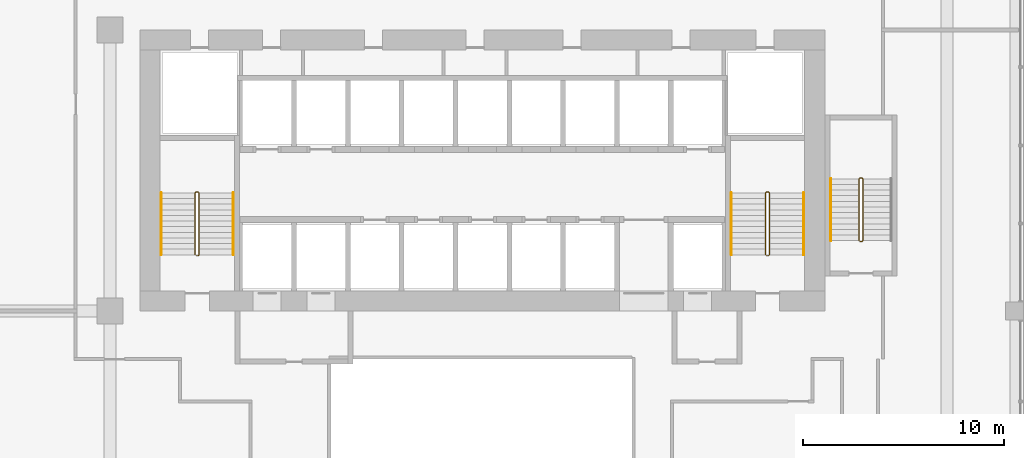
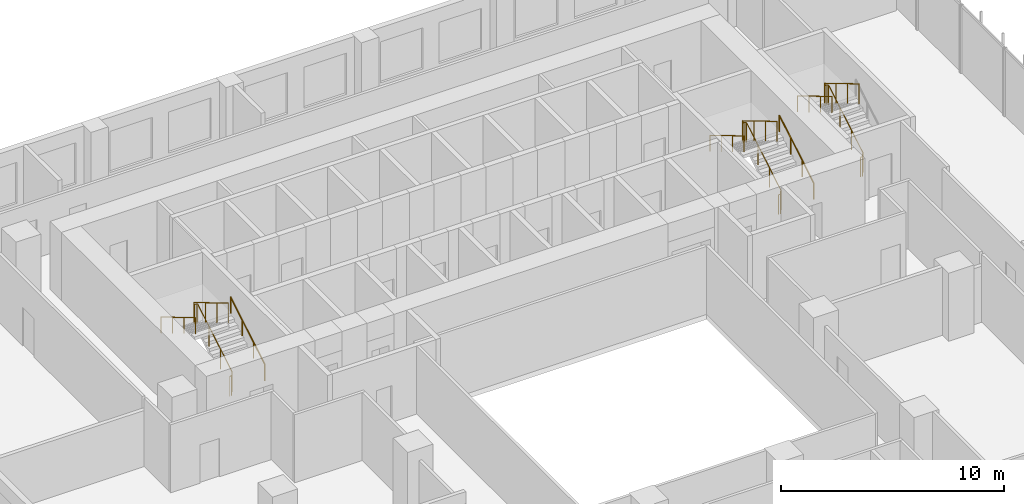
# One storey, part 26 of 27: 8 railings.
"""IFC4 building model written with IfcOpenShell, lengths in metres."""

from ifc_helpers import new_model, si_unit, direction, frame, origin, origin_2d, place, context, subcontext, project, spatial, circle, extrude, material, type_object, element, save


model = new_model("IFC4")

# Units and contexts
model_context = context("Model", 3, precision=1e-05, world=origin(), true_north=direction((0.0, 1.0)))
body_context = subcontext(model_context, "Body", "Model", "MODEL_VIEW")
ifc_project = project(units=[si_unit("LENGTHUNIT", "METRE"), si_unit("AREAUNIT", "SQUARE_METRE"), si_unit("VOLUMEUNIT", "CUBIC_METRE"), si_unit("PLANEANGLEUNIT", "RADIAN"), si_unit("MASSUNIT", "GRAM", prefix="KILO")], contexts=[model_context])

# Site, building, storey
site_placement = place(None, origin())
site = spatial("IfcSite", under=ifc_project, at=site_placement, CompositionType="ELEMENT")
building_placement = place(site_placement, origin())
building = spatial("IfcBuilding", under=site, at=building_placement, Name="Kilnfold Tower and Market Hall", CompositionType="ELEMENT")
storey_placement = place(building_placement, frame((0.0, 0.0, 51.0)))
storey = spatial("IfcBuildingStorey", under=building, at=storey_placement, Name="L11", CompositionType="ELEMENT", Elevation=51.0)

# Railings
ifc_material_1 = material(Name="Stainless steel 316", Category="steel")
railing_type_1 = type_object("IfcRailingType", Name="CORE STAIR GUARD 1100", PredefinedType="GUARDRAIL", material=ifc_material_1)
railing_1_placement = place(storey_placement, frame((-13.199951171875, 10.75, 0.0)))
element("IfcRailing", 1, at=railing_1_placement, inside=storey, type_object=railing_type_1, Name="L11 ST1 stair guard 1", PredefinedType="GUARDRAIL", context=body_context, shape_type="SweptSolid", body=[
    extrude(circle(Radius=0.02392578125, at=origin_2d()), frame((0.0, 0.0, 1.076171875), z_axis=(1.0, 0.0, 0.0), x_axis=(0.0, 1.0, 0.0)), (0.0, 0.0, 1.0), 0.099853515625),
    extrude(circle(Radius=0.02392578125, at=origin_2d()), frame((0.099853515625, 0.0, 1.076171875), z_axis=(0.27628659633, 0.27628659633, 0.920506074601), x_axis=(-0.707106781187, 0.707106781187, 0.0)), (0.0, 0.0, 1.0), 0.18115234375),
    extrude(circle(Radius=0.02392578125, at=origin_2d()), frame((0.14990234375, 0.050048828125, 1.24267578125), z_axis=(0.0, 0.859290745958, 0.51148745235), x_axis=(-1.0, 0.0, 0.0)), (0.0, 0.0, 1.0), 3.584228515625),
    extrude(circle(Radius=0.02392578125, at=origin_2d()), frame((0.14990234375, 3.1298828125, 3.076171875), z_axis=(-0.707106781187, 0.707106781187, 0.0), x_axis=(-0.707106781187, -0.707106781187, 0.0)), (0.0, 0.0, 1.0), 0.07080078125),
    extrude(circle(Radius=0.02392578125, at=origin_2d()), frame((0.099853515625, 3.179931640625, 3.076171875), z_axis=(-1.0, 0.0, 0.0), x_axis=(0.0, -1.0, 0.0)), (0.0, 0.0, 1.0), 0.099853515625),
    extrude(circle(Radius=0.02392578125, at=origin_2d()), frame((0.0, 3.179931640625, 3.076171875), z_axis=(-0.27628659633, -0.27628659633, 0.920506074601), x_axis=(0.707106781187, -0.707106781187, 0.0)), (0.0, 0.0, 1.0), 0.18115234375),
    extrude(circle(Radius=0.02392578125, at=origin_2d()), frame((-0.050048828125, 3.1298828125, 3.24267578125), z_axis=(0.0, -0.859290745958, 0.51148745235), x_axis=(1.0, 0.0, 0.0)), (0.0, 0.0, 1.0), 3.584228515625),
    extrude(circle(Radius=0.02099609375, at=origin_2d()), origin(), (0.0, 0.0, 1.0), 1.052001953125),
    extrude(circle(Radius=0.02099609375, at=origin_2d()), frame((0.099853515625, 0.0, 0.0)), (0.0, 0.0, 1.0), 1.052001953125),
    extrude(circle(Radius=0.02099609375, at=origin_2d()), frame((0.14990234375, 0.050048828125, 0.166748046875)), (0.0, 0.0, 1.0), 1.052001953125),
    extrude(circle(Radius=0.02099609375, at=origin_2d()), frame((0.14990234375, 1.07666015625, 0.77783203125)), (0.0, 0.0, 1.0), 1.052001953125),
    extrude(circle(Radius=0.02099609375, at=origin_2d()), frame((0.14990234375, 2.103271484375, 1.388916015625)), (0.0, 0.0, 1.0), 1.052001953125),
    extrude(circle(Radius=0.02099609375, at=origin_2d()), frame((0.14990234375, 3.1298828125, 2.0)), (0.0, 0.0, 1.0), 1.052001953125),
    extrude(circle(Radius=0.02099609375, at=origin_2d()), frame((0.099853515625, 3.179931640625, 2.0)), (0.0, 0.0, 1.0), 1.052001953125),
    extrude(circle(Radius=0.02099609375, at=origin_2d()), frame((0.0, 3.179931640625, 2.0)), (0.0, 0.0, 1.0), 1.052001953125),
    extrude(circle(Radius=0.02099609375, at=origin_2d()), frame((-0.050048828125, 3.1298828125, 2.166748046875)), (0.0, 0.0, 1.0), 1.052001953125),
    extrude(circle(Radius=0.02099609375, at=origin_2d()), frame((-0.050048828125, 2.103271484375, 2.77783203125)), (0.0, 0.0, 1.0), 1.052001953125),
    extrude(circle(Radius=0.02099609375, at=origin_2d()), frame((-0.050048828125, 1.07666015625, 3.388916015625)), (0.0, 0.0, 1.0), 1.052001953125),
    extrude(circle(Radius=0.02099609375, at=origin_2d()), frame((-0.050048828125, 0.050048828125, 4.0)), (0.0, 0.0, 1.0), 1.052001953125),
])
railing_2_placement = place(storey_placement, frame((15.199951171875, 10.75, 0.0)))
element("IfcRailing", 2, at=railing_2_placement, inside=storey, type_object=railing_type_1, Name="L11 ST2 stair guard 1", PredefinedType="GUARDRAIL", context=body_context, shape_type="SweptSolid", body=[
    extrude(circle(Radius=0.02392578125, at=origin_2d()), frame((0.0, 0.0, 1.076171875), z_axis=(1.0, 0.0, 0.0), x_axis=(0.0, 1.0, 0.0)), (0.0, 0.0, 1.0), 0.10009765625),
    extrude(circle(Radius=0.02392578125, at=origin_2d()), frame((0.10009765625, 0.0, 1.076171875), z_axis=(0.27628659633, 0.27628659633, 0.920506074601), x_axis=(-0.707106781187, 0.707106781187, 0.0)), (0.0, 0.0, 1.0), 0.18115234375),
    extrude(circle(Radius=0.02392578125, at=origin_2d()), frame((0.150146484375, 0.050048828125, 1.24267578125), z_axis=(0.0, 0.859290745958, 0.51148745235), x_axis=(-1.0, 0.0, 0.0)), (0.0, 0.0, 1.0), 3.584228515625),
    extrude(circle(Radius=0.02392578125, at=origin_2d()), frame((0.150146484375, 3.1298828125, 3.076171875), z_axis=(-0.707106781187, 0.707106781187, 0.0), x_axis=(-0.707106781187, -0.707106781187, 0.0)), (0.0, 0.0, 1.0), 0.07080078125),
    extrude(circle(Radius=0.02392578125, at=origin_2d()), frame((0.10009765625, 3.179931640625, 3.076171875), z_axis=(-1.0, 0.0, 0.0), x_axis=(0.0, -1.0, 0.0)), (0.0, 0.0, 1.0), 0.10009765625),
    extrude(circle(Radius=0.02392578125, at=origin_2d()), frame((0.0, 3.179931640625, 3.076171875), z_axis=(-0.27628659633, -0.27628659633, 0.920506074601), x_axis=(0.707106781187, -0.707106781187, 0.0)), (0.0, 0.0, 1.0), 0.18115234375),
    extrude(circle(Radius=0.02392578125, at=origin_2d()), frame((-0.050048828125, 3.1298828125, 3.24267578125), z_axis=(0.0, -0.859290745958, 0.51148745235), x_axis=(1.0, 0.0, 0.0)), (0.0, 0.0, 1.0), 3.584228515625),
    extrude(circle(Radius=0.02099609375, at=origin_2d()), origin(), (0.0, 0.0, 1.0), 1.052001953125),
    extrude(circle(Radius=0.02099609375, at=origin_2d()), frame((0.10009765625, 0.0, 0.0)), (0.0, 0.0, 1.0), 1.052001953125),
    extrude(circle(Radius=0.02099609375, at=origin_2d()), frame((0.150146484375, 0.050048828125, 0.166748046875)), (0.0, 0.0, 1.0), 1.052001953125),
    extrude(circle(Radius=0.02099609375, at=origin_2d()), frame((0.150146484375, 1.07666015625, 0.77783203125)), (0.0, 0.0, 1.0), 1.052001953125),
    extrude(circle(Radius=0.02099609375, at=origin_2d()), frame((0.150146484375, 2.103271484375, 1.388916015625)), (0.0, 0.0, 1.0), 1.052001953125),
    extrude(circle(Radius=0.02099609375, at=origin_2d()), frame((0.150146484375, 3.1298828125, 2.0)), (0.0, 0.0, 1.0), 1.052001953125),
    extrude(circle(Radius=0.02099609375, at=origin_2d()), frame((0.10009765625, 3.179931640625, 2.0)), (0.0, 0.0, 1.0), 1.052001953125),
    extrude(circle(Radius=0.02099609375, at=origin_2d()), frame((0.0, 3.179931640625, 2.0)), (0.0, 0.0, 1.0), 1.052001953125),
    extrude(circle(Radius=0.02099609375, at=origin_2d()), frame((-0.050048828125, 3.1298828125, 2.166748046875)), (0.0, 0.0, 1.0), 1.052001953125),
    extrude(circle(Radius=0.02099609375, at=origin_2d()), frame((-0.050048828125, 2.103271484375, 2.77783203125)), (0.0, 0.0, 1.0), 1.052001953125),
    extrude(circle(Radius=0.02099609375, at=origin_2d()), frame((-0.050048828125, 1.07666015625, 3.388916015625)), (0.0, 0.0, 1.0), 1.052001953125),
    extrude(circle(Radius=0.02099609375, at=origin_2d()), frame((-0.050048828125, 0.050048828125, 4.0)), (0.0, 0.0, 1.0), 1.052001953125),
])
railing_3_placement = place(storey_placement, frame((19.85009765625, 11.449951171875, 0.0)))
element("IfcRailing", 3, at=railing_3_placement, inside=storey, type_object=railing_type_1, Name="L11 ST5 stair guard 1", PredefinedType="GUARDRAIL", context=body_context, shape_type="SweptSolid", body=[
    extrude(circle(Radius=0.02392578125, at=origin_2d()), frame((0.0, 0.0, 1.076171875), z_axis=(1.0, 0.0, 0.0), x_axis=(0.0, 1.0, 0.0)), (0.0, 0.0, 1.0), 0.099853515625),
    extrude(circle(Radius=0.02392578125, at=origin_2d()), frame((0.099853515625, 0.0, 1.076171875), z_axis=(0.27628659633, 0.27628659633, 0.920506074601), x_axis=(-0.707106781187, 0.707106781187, 0.0)), (0.0, 0.0, 1.0), 0.18115234375),
    extrude(circle(Radius=0.02392578125, at=origin_2d()), frame((0.14990234375, 0.050048828125, 1.24267578125), z_axis=(0.0, 0.859308565015, 0.511457515432), x_axis=(-1.0, 0.0, 0.0)), (0.0, 0.0, 1.0), 3.58447265625),
    extrude(circle(Radius=0.02392578125, at=origin_2d()), frame((0.14990234375, 3.130126953125, 3.076171875), z_axis=(-0.708833529934, 0.705375805398, 0.0), x_axis=(-0.705375805398, -0.708833529934, 0.0)), (0.0, 0.0, 1.0), 0.070556640625),
    extrude(circle(Radius=0.02392578125, at=origin_2d()), frame((0.099853515625, 3.179931640625, 3.076171875), z_axis=(-1.0, 0.0, 0.0), x_axis=(0.0, -1.0, 0.0)), (0.0, 0.0, 1.0), 0.099853515625),
    extrude(circle(Radius=0.02392578125, at=origin_2d()), frame((0.0, 3.179931640625, 3.076171875), z_axis=(-0.276389281352, -0.275041040955, 0.920848191041), x_axis=(0.705375805398, -0.708833529934, 0.0)), (0.0, 0.0, 1.0), 0.18115234375),
    extrude(circle(Radius=0.02392578125, at=origin_2d()), frame((-0.050048828125, 3.130126953125, 3.24267578125), z_axis=(0.0, -0.859308565015, 0.511457515432), x_axis=(1.0, 0.0, 0.0)), (0.0, 0.0, 1.0), 3.58447265625),
    extrude(circle(Radius=0.02099609375, at=origin_2d()), origin(), (0.0, 0.0, 1.0), 1.052001953125),
    extrude(circle(Radius=0.02099609375, at=origin_2d()), frame((0.099853515625, 0.0, 0.0)), (0.0, 0.0, 1.0), 1.052001953125),
    extrude(circle(Radius=0.02099609375, at=origin_2d()), frame((0.14990234375, 0.050048828125, 0.166748046875)), (0.0, 0.0, 1.0), 1.052001953125),
    extrude(circle(Radius=0.02099609375, at=origin_2d()), frame((0.14990234375, 1.07666015625, 0.77783203125)), (0.0, 0.0, 1.0), 1.052001953125),
    extrude(circle(Radius=0.02099609375, at=origin_2d()), frame((0.14990234375, 2.103515625, 1.388916015625)), (0.0, 0.0, 1.0), 1.052001953125),
    extrude(circle(Radius=0.02099609375, at=origin_2d()), frame((0.14990234375, 3.130126953125, 2.0)), (0.0, 0.0, 1.0), 1.052001953125),
    extrude(circle(Radius=0.02099609375, at=origin_2d()), frame((0.099853515625, 3.179931640625, 2.0)), (0.0, 0.0, 1.0), 1.052001953125),
    extrude(circle(Radius=0.02099609375, at=origin_2d()), frame((0.0, 3.179931640625, 2.0)), (0.0, 0.0, 1.0), 1.052001953125),
    extrude(circle(Radius=0.02099609375, at=origin_2d()), frame((-0.050048828125, 3.130126953125, 2.166748046875)), (0.0, 0.0, 1.0), 1.052001953125),
    extrude(circle(Radius=0.02099609375, at=origin_2d()), frame((-0.050048828125, 2.103515625, 2.77783203125)), (0.0, 0.0, 1.0), 1.052001953125),
    extrude(circle(Radius=0.02099609375, at=origin_2d()), frame((-0.050048828125, 1.07666015625, 3.388916015625)), (0.0, 0.0, 1.0), 1.052001953125),
    extrude(circle(Radius=0.02099609375, at=origin_2d()), frame((-0.050048828125, 0.050048828125, 4.0)), (0.0, 0.0, 1.0), 1.052001953125),
])
ifc_material_2 = material(Name="Stainless steel 316", Category="steel")
railing_type_2 = type_object("IfcRailingType", Name="CORE STAIR HANDRAIL 900", PredefinedType="HANDRAIL", material=ifc_material_2)
railing_4_placement = place(storey_placement, frame((-11.35009765625, 10.800048828125, 0.166748046875)))
element("IfcRailing", 4, at=railing_4_placement, inside=storey, type_object=railing_type_2, Name="L11 ST1 stair handrail 1", PredefinedType="HANDRAIL", context=body_context, shape_type="SweptSolid", body=[
    extrude(circle(Radius=0.02392578125, at=origin_2d()), frame((0.0, 0.0, 0.8759765625), z_axis=(0.0, 0.859290745958, 0.51148745235), x_axis=(-1.0, 0.0, 0.0)), (0.0, 0.0, 1.0), 3.584228515625),
    extrude(circle(Radius=0.02099609375, at=origin_2d()), origin(), (0.0, 0.0, 1.0), 0.851806640625),
    extrude(circle(Radius=0.02099609375, at=origin_2d()), frame((0.0, 1.026611328125, 0.611083984375)), (0.0, 0.0, 1.0), 0.851806640625),
    extrude(circle(Radius=0.02099609375, at=origin_2d()), frame((0.0, 2.05322265625, 1.22216796875)), (0.0, 0.0, 1.0), 0.851806640625),
    extrude(circle(Radius=0.02099609375, at=origin_2d()), frame((0.0, 3.079833984375, 1.833251953125)), (0.0, 0.0, 1.0), 0.851806640625),
])
railing_5_placement = place(storey_placement, frame((-14.949951171875, 13.8798828125, 2.166748046875)))
element("IfcRailing", 5, at=railing_5_placement, inside=storey, type_object=railing_type_2, Name="L11 ST1 stair handrail 2", PredefinedType="HANDRAIL", context=body_context, shape_type="SweptSolid", body=[
    extrude(circle(Radius=0.02392578125, at=origin_2d()), frame((0.0, 0.0, 0.8759765625), z_axis=(0.0, -0.859290745958, 0.51148745235), x_axis=(1.0, 0.0, 0.0)), (0.0, 0.0, 1.0), 3.584228515625),
    extrude(circle(Radius=0.02099609375, at=origin_2d()), origin(), (0.0, 0.0, 1.0), 0.851806640625),
    extrude(circle(Radius=0.02099609375, at=origin_2d()), frame((0.0, -1.026611328125, 0.611083984375)), (0.0, 0.0, 1.0), 0.851806640625),
    extrude(circle(Radius=0.02099609375, at=origin_2d()), frame((0.0, -2.05322265625, 1.22216796875)), (0.0, 0.0, 1.0), 0.851806640625),
    extrude(circle(Radius=0.02099609375, at=origin_2d()), frame((0.0, -3.079833984375, 1.833251953125)), (0.0, 0.0, 1.0), 0.851806640625),
])
railing_6_placement = place(storey_placement, frame((17.050048828125, 10.800048828125, 0.166748046875)))
element("IfcRailing", 6, at=railing_6_placement, inside=storey, type_object=railing_type_2, Name="L11 ST2 stair handrail 1", PredefinedType="HANDRAIL", context=body_context, shape_type="SweptSolid", body=[
    extrude(circle(Radius=0.02392578125, at=origin_2d()), frame((0.0, 0.0, 0.8759765625), z_axis=(0.0, 0.859290745958, 0.51148745235), x_axis=(-1.0, 0.0, 0.0)), (0.0, 0.0, 1.0), 3.584228515625),
    extrude(circle(Radius=0.02099609375, at=origin_2d()), origin(), (0.0, 0.0, 1.0), 0.851806640625),
    extrude(circle(Radius=0.02099609375, at=origin_2d()), frame((0.0, 1.026611328125, 0.611083984375)), (0.0, 0.0, 1.0), 0.851806640625),
    extrude(circle(Radius=0.02099609375, at=origin_2d()), frame((0.0, 2.05322265625, 1.22216796875)), (0.0, 0.0, 1.0), 0.851806640625),
    extrude(circle(Radius=0.02099609375, at=origin_2d()), frame((0.0, 3.079833984375, 1.833251953125)), (0.0, 0.0, 1.0), 0.851806640625),
])
railing_7_placement = place(storey_placement, frame((13.449951171875, 13.8798828125, 2.166748046875)))
element("IfcRailing", 7, at=railing_7_placement, inside=storey, type_object=railing_type_2, Name="L11 ST2 stair handrail 2", PredefinedType="HANDRAIL", context=body_context, shape_type="SweptSolid", body=[
    extrude(circle(Radius=0.02392578125, at=origin_2d()), frame((0.0, 0.0, 0.8759765625), z_axis=(0.0, -0.859290745958, 0.51148745235), x_axis=(1.0, 0.0, 0.0)), (0.0, 0.0, 1.0), 3.584228515625),
    extrude(circle(Radius=0.02099609375, at=origin_2d()), origin(), (0.0, 0.0, 1.0), 0.851806640625),
    extrude(circle(Radius=0.02099609375, at=origin_2d()), frame((0.0, -1.026611328125, 0.611083984375)), (0.0, 0.0, 1.0), 0.851806640625),
    extrude(circle(Radius=0.02099609375, at=origin_2d()), frame((0.0, -2.05322265625, 1.22216796875)), (0.0, 0.0, 1.0), 0.851806640625),
    extrude(circle(Radius=0.02099609375, at=origin_2d()), frame((0.0, -3.079833984375, 1.833251953125)), (0.0, 0.0, 1.0), 0.851806640625),
])
railing_8_placement = place(storey_placement, frame((18.39990234375, 14.580078125, 2.166748046875)))
element("IfcRailing", 8, at=railing_8_placement, inside=storey, type_object=railing_type_2, Name="L11 ST5 stair handrail 2", PredefinedType="HANDRAIL", context=body_context, shape_type="SweptSolid", body=[
    extrude(circle(Radius=0.02392578125, at=origin_2d()), frame((0.0, 0.0, 0.8759765625), z_axis=(0.0, -0.859308565015, 0.511457515432), x_axis=(1.0, 0.0, 0.0)), (0.0, 0.0, 1.0), 3.58447265625),
    extrude(circle(Radius=0.02099609375, at=origin_2d()), origin(), (0.0, 0.0, 1.0), 0.851806640625),
    extrude(circle(Radius=0.02099609375, at=origin_2d()), frame((0.0, -1.026611328125, 0.611083984375)), (0.0, 0.0, 1.0), 0.851806640625),
    extrude(circle(Radius=0.02099609375, at=origin_2d()), frame((0.0, -2.053466796875, 1.22216796875)), (0.0, 0.0, 1.0), 0.851806640625),
    extrude(circle(Radius=0.02099609375, at=origin_2d()), frame((0.0, -3.080078125, 1.833251953125)), (0.0, 0.0, 1.0), 0.851806640625),
])

save(model, "model.ifc")
